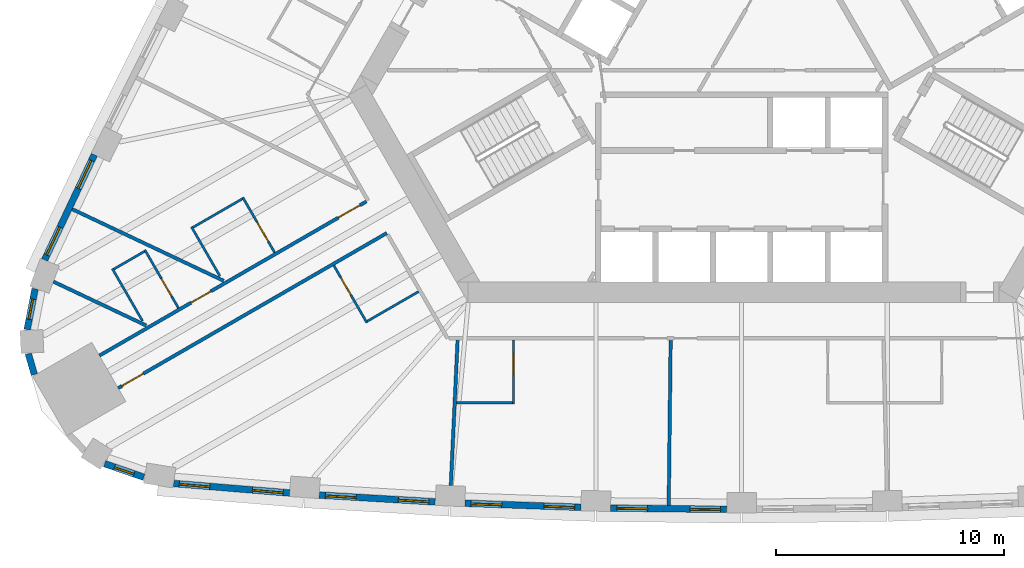
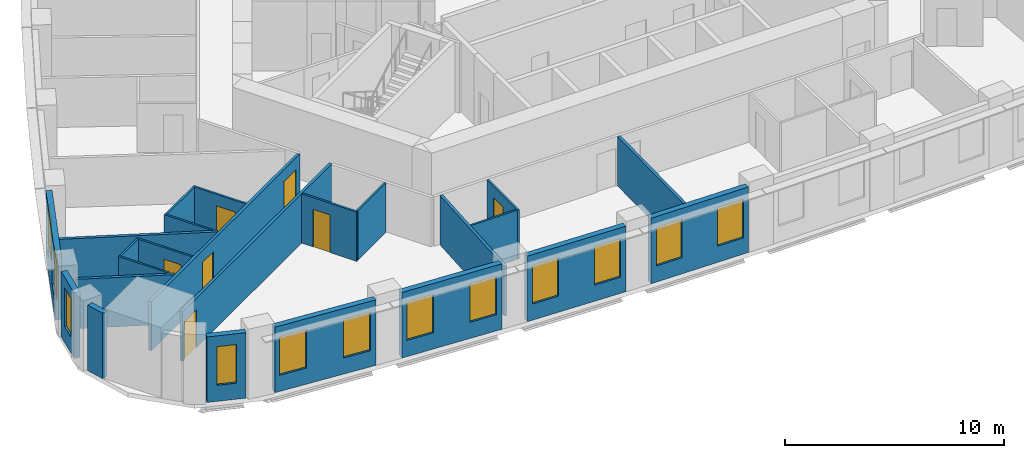
# One storey, part 3 of 12: 24 walls, 12 windows, 7 doors, 19 openings.
"""IFC4 building model written with IfcOpenShell, lengths in metres."""

from ifc_helpers import new_model, si_unit, direction, frame, frame_2d, origin, place, context, subcontext, project, spatial, rectangle, extrude, material, layer, layer_set, type_object, element, fill, save


model = new_model("IFC4")

# Units and contexts
model_context = context("Model", 3, precision=1e-05, world=origin(), true_north=direction((0.0, 1.0)))
body_context = subcontext(model_context, "Body", "Model", "MODEL_VIEW")
ifc_project = project(units=[si_unit("LENGTHUNIT", "METRE"), si_unit("AREAUNIT", "SQUARE_METRE"), si_unit("VOLUMEUNIT", "CUBIC_METRE"), si_unit("PLANEANGLEUNIT", "RADIAN"), si_unit("MASSUNIT", "GRAM", prefix="KILO")], contexts=[model_context])

# Site, building, storey
site_placement = place(None, origin())
site = spatial("IfcSite", under=ifc_project, at=site_placement, CompositionType="ELEMENT")
building_placement = place(site_placement, origin())
building = spatial("IfcBuilding", under=site, at=building_placement, Name="Mestral Congress Tower", CompositionType="ELEMENT")
storey_placement = place(building_placement, frame((0.0, 0.0, 126.60009765625)))
storey = spatial("IfcBuildingStorey", under=building, at=storey_placement, Name="L30", CompositionType="ELEMENT", Elevation=126.60009765625)

# Wall, openings, windows
ifc_material_1 = material(Name="Precast concrete C40/50 with limestone facing", Category="masonry")
ifc_layer_1 = layer(ifc_material_1, 0.2900390625)
ifc_layer_set_1 = layer_set([ifc_layer_1], Name="Precast concrete C40/50 with limestone facing")
wall_type_1 = type_object("IfcWallType", Name="Facade stone wall 290", PredefinedType="SOLIDWALL", material=ifc_layer_set_1)
wall_1_placement = place(storey_placement, frame((-24.9462890625, -20.95361328125, 0.0), z_axis=(0.0, 0.0, 1.0), x_axis=(0.99665273362, -0.081751627308, 0.0)))
wall_1 = element("IfcWall", 1, at=wall_1_placement, inside=storey, type_object=wall_type_1, Name="Facade wall F0-00", PredefinedType="SOLIDWALL", context=body_context, shape_type="SweptSolid", body=[
    extrude(rectangle(XDim=5.106689453125, YDim=0.2900390625, at=frame_2d((2.55322265625, 0.0))), origin(), (0.0, 0.0, 1.0), 3.64990234375),
])
opening_1_placement = place(wall_1_placement, frame((0.240478515625, 0.0, 0.89990234375)))
opening_1 = element("IfcOpeningElement", 2, at=opening_1_placement, cuts=wall_1, Name="Opening W2", PredefinedType="OPENING", context=body_context, shape_type="SweptSolid", body=[
    extrude(rectangle(XDim=1.35009765625, YDim=2.14990234375, at=frame_2d((0.675048828125, 1.074951171875))), frame((0.0, 0.155029296875, 0.0), z_axis=(0.0, -1.0, 0.0), x_axis=(1.0, 0.0, 0.0)), (0.0, 0.0, 1.0), 0.31005859375),
])
opening_2_placement = place(wall_1_placement, frame((3.47119140625, 0.0, 0.89990234375)))
opening_2 = element("IfcOpeningElement", 3, at=opening_2_placement, cuts=wall_1, Name="Opening W2", PredefinedType="OPENING", context=body_context, shape_type="SweptSolid", body=[
    extrude(rectangle(XDim=1.35009765625, YDim=2.14990234375, at=frame_2d((0.675048828125, 1.074951171875))), frame((0.0, 0.155029296875, 0.0), z_axis=(0.0, -1.0, 0.0), x_axis=(1.0, 0.0, 0.0)), (0.0, 0.0, 1.0), 0.31005859375),
])
ifc_material_2 = material(Name="Clear low-emissivity double glazing", Category="glass")
window_type_1 = type_object("IfcWindowType", Name="Facade punched window 1350 x 2150 sill 900", PartitioningType="DOUBLE_PANEL_VERTICAL", PredefinedType="WINDOW", material=ifc_material_2)
window_1_placement = place(opening_1_placement, origin())
window_1 = element("IfcWindow", 4, at=window_1_placement, inside=storey, type_object=window_type_1, Name="Window F0-00a", OverallHeight=2.14990234375, OverallWidth=1.35009765625, PartitioningType="DOUBLE_PANEL_VERTICAL", PredefinedType="WINDOW", context=body_context, shape_type="SweptSolid", body=[
    extrude(rectangle(XDim=1.35009765625, YDim=2.14990234375, at=frame_2d((0.675048828125, 1.074951171875))), frame((0.0, 0.01513671875, 0.0), z_axis=(0.0, -1.0, 0.0), x_axis=(1.0, 0.0, 0.0)), (0.0, 0.0, 1.0), 0.06005859375),
])
fill(opening_1, window_1)
window_2_placement = place(opening_2_placement, origin())
window_2 = element("IfcWindow", 5, at=window_2_placement, inside=storey, type_object=window_type_1, Name="Window F0-00b", OverallHeight=2.14990234375, OverallWidth=1.35009765625, PartitioningType="DOUBLE_PANEL_VERTICAL", PredefinedType="WINDOW", context=body_context, shape_type="SweptSolid", body=[
    extrude(rectangle(XDim=1.35009765625, YDim=2.14990234375, at=frame_2d((0.675048828125, 1.074951171875))), frame((0.0, 0.01513671875, 0.0), z_axis=(0.0, -1.0, 0.0), x_axis=(1.0, 0.0, 0.0)), (0.0, 0.0, 1.0), 0.06005859375),
])
fill(opening_2, window_2)

wall_2_placement = place(storey_placement, frame((-18.553466796875, -21.462890625, 0.0), z_axis=(0.0, 0.0, 1.0), x_axis=(0.998290511436, -0.058447025388, 0.0)))
wall_2 = element("IfcWall", 6, at=wall_2_placement, inside=storey, type_object=wall_type_1, Name="Facade wall F0-01", PredefinedType="SOLIDWALL", context=body_context, shape_type="SweptSolid", body=[
    extrude(rectangle(XDim=5.100341796875, YDim=0.2900390625, at=frame_2d((2.55029296875, 0.0))), origin(), (0.0, 0.0, 1.0), 3.64990234375),
])
opening_3_placement = place(wall_2_placement, frame((0.272705078125, 0.0, 0.89990234375)))
opening_3 = element("IfcOpeningElement", 7, at=opening_3_placement, cuts=wall_2, Name="Opening W2", PredefinedType="OPENING", context=body_context, shape_type="SweptSolid", body=[
    extrude(rectangle(XDim=1.35009765625, YDim=2.14990234375, at=frame_2d((0.675048828125, 1.074951171875))), frame((0.0, 0.155029296875, 0.0), z_axis=(0.0, -1.0, 0.0), x_axis=(1.0, 0.0, 0.0)), (0.0, 0.0, 1.0), 0.31005859375),
])
opening_4_placement = place(wall_2_placement, frame((3.477783203125, 0.0, 0.89990234375)))
opening_4 = element("IfcOpeningElement", 8, at=opening_4_placement, cuts=wall_2, Name="Opening W2", PredefinedType="OPENING", context=body_context, shape_type="SweptSolid", body=[
    extrude(rectangle(XDim=1.35009765625, YDim=2.14990234375, at=frame_2d((0.675048828125, 1.074951171875))), frame((0.0, 0.155029296875, 0.0), z_axis=(0.0, -1.0, 0.0), x_axis=(1.0, 0.0, 0.0)), (0.0, 0.0, 1.0), 0.31005859375),
])
window_3_placement = place(opening_3_placement, origin())
window_3 = element("IfcWindow", 9, at=window_3_placement, inside=storey, type_object=window_type_1, Name="Window F0-01a", OverallHeight=2.14990234375, OverallWidth=1.35009765625, PartitioningType="DOUBLE_PANEL_VERTICAL", PredefinedType="WINDOW", context=body_context, shape_type="SweptSolid", body=[
    extrude(rectangle(XDim=1.35009765625, YDim=2.14990234375, at=frame_2d((0.675048828125, 1.074951171875))), frame((0.0, 0.01513671875, 0.0), z_axis=(0.0, -1.0, 0.0), x_axis=(1.0, 0.0, 0.0)), (0.0, 0.0, 1.0), 0.06005859375),
])
fill(opening_3, window_3)
window_4_placement = place(opening_4_placement, origin())
window_4 = element("IfcWindow", 10, at=window_4_placement, inside=storey, type_object=window_type_1, Name="Window F0-01b", OverallHeight=2.14990234375, OverallWidth=1.35009765625, PartitioningType="DOUBLE_PANEL_VERTICAL", PredefinedType="WINDOW", context=body_context, shape_type="SweptSolid", body=[
    extrude(rectangle(XDim=1.35009765625, YDim=2.14990234375, at=frame_2d((0.675048828125, 1.074951171875))), frame((0.0, 0.01513671875, 0.0), z_axis=(0.0, -1.0, 0.0), x_axis=(1.0, 0.0, 0.0)), (0.0, 0.0, 1.0), 0.06005859375),
])
fill(opening_4, window_4)

wall_3_placement = place(storey_placement, frame((-12.15673828125, -21.822021484375, 0.0), z_axis=(0.0, 0.0, 1.0), x_axis=(0.999385993957, -0.035037623812, 0.0)))
wall_3 = element("IfcWall", 11, at=wall_3_placement, inside=storey, type_object=wall_type_1, Name="Facade wall F0-02", PredefinedType="SOLIDWALL", context=body_context, shape_type="SweptSolid", body=[
    extrude(rectangle(XDim=5.1005859375, YDim=0.2900390625, at=frame_2d((2.55029296875, 0.0))), origin(), (0.0, 0.0, 1.0), 3.64990234375),
])
opening_5_placement = place(wall_3_placement, frame((0.272705078125, 0.0, 0.89990234375)))
opening_5 = element("IfcOpeningElement", 12, at=opening_5_placement, cuts=wall_3, Name="Opening W2", PredefinedType="OPENING", context=body_context, shape_type="SweptSolid", body=[
    extrude(rectangle(XDim=1.35009765625, YDim=2.14990234375, at=frame_2d((0.675048828125, 1.074951171875))), frame((0.0, 0.155029296875, 0.0), z_axis=(0.0, -1.0, 0.0), x_axis=(1.0, 0.0, 0.0)), (0.0, 0.0, 1.0), 0.31005859375),
])
opening_6_placement = place(wall_3_placement, frame((3.477783203125, 0.0, 0.89990234375)))
opening_6 = element("IfcOpeningElement", 13, at=opening_6_placement, cuts=wall_3, Name="Opening W2", PredefinedType="OPENING", context=body_context, shape_type="SweptSolid", body=[
    extrude(rectangle(XDim=1.35009765625, YDim=2.14990234375, at=frame_2d((0.675048828125, 1.074951171875))), frame((0.0, 0.155029296875, 0.0), z_axis=(0.0, -1.0, 0.0), x_axis=(1.0, 0.0, 0.0)), (0.0, 0.0, 1.0), 0.31005859375),
])
window_5_placement = place(opening_5_placement, origin())
window_5 = element("IfcWindow", 14, at=window_5_placement, inside=storey, type_object=window_type_1, Name="Window F0-02a", OverallHeight=2.14990234375, OverallWidth=1.35009765625, PartitioningType="DOUBLE_PANEL_VERTICAL", PredefinedType="WINDOW", context=body_context, shape_type="SweptSolid", body=[
    extrude(rectangle(XDim=1.35009765625, YDim=2.14990234375, at=frame_2d((0.675048828125, 1.074951171875))), frame((0.0, 0.01513671875, 0.0), z_axis=(0.0, -1.0, 0.0), x_axis=(1.0, 0.0, 0.0)), (0.0, 0.0, 1.0), 0.06005859375),
])
fill(opening_5, window_5)
window_6_placement = place(opening_6_placement, origin())
window_6 = element("IfcWindow", 15, at=window_6_placement, inside=storey, type_object=window_type_1, Name="Window F0-02b", OverallHeight=2.14990234375, OverallWidth=1.35009765625, PartitioningType="DOUBLE_PANEL_VERTICAL", PredefinedType="WINDOW", context=body_context, shape_type="SweptSolid", body=[
    extrude(rectangle(XDim=1.35009765625, YDim=2.14990234375, at=frame_2d((0.675048828125, 1.074951171875))), frame((0.0, 0.01513671875, 0.0), z_axis=(0.0, -1.0, 0.0), x_axis=(1.0, 0.0, 0.0)), (0.0, 0.0, 1.0), 0.06005859375),
])
fill(opening_6, window_6)

wall_4_placement = place(storey_placement, frame((-5.753173828125, -22.031494140625, 0.0), z_axis=(0.0, 0.0, 1.0), x_axis=(0.999931786565, -0.011679992145, 0.0)))
wall_4 = element("IfcWall", 16, at=wall_4_placement, inside=storey, type_object=wall_type_1, Name="Facade wall F0-03", PredefinedType="SOLIDWALL", context=body_context, shape_type="SweptSolid", body=[
    extrude(rectangle(XDim=5.10009765625, YDim=0.2900390625, at=frame_2d((2.550048828125, 0.0))), origin(), (0.0, 0.0, 1.0), 3.64990234375),
])
opening_7_placement = place(wall_4_placement, frame((0.2724609375, 0.0, 0.89990234375)))
opening_7 = element("IfcOpeningElement", 17, at=opening_7_placement, cuts=wall_4, Name="Opening W2", PredefinedType="OPENING", context=body_context, shape_type="SweptSolid", body=[
    extrude(rectangle(XDim=1.35009765625, YDim=2.14990234375, at=frame_2d((0.675048828125, 1.074951171875))), frame((0.0, 0.155029296875, 0.0), z_axis=(0.0, -1.0, 0.0), x_axis=(1.0, 0.0, 0.0)), (0.0, 0.0, 1.0), 0.31005859375),
])
opening_8_placement = place(wall_4_placement, frame((3.477783203125, 0.0, 0.89990234375)))
opening_8 = element("IfcOpeningElement", 18, at=opening_8_placement, cuts=wall_4, Name="Opening W2", PredefinedType="OPENING", context=body_context, shape_type="SweptSolid", body=[
    extrude(rectangle(XDim=1.35009765625, YDim=2.14990234375, at=frame_2d((0.675048828125, 1.074951171875))), frame((0.0, 0.155029296875, 0.0), z_axis=(0.0, -1.0, 0.0), x_axis=(1.0, 0.0, 0.0)), (0.0, 0.0, 1.0), 0.31005859375),
])
window_7_placement = place(opening_7_placement, origin())
window_7 = element("IfcWindow", 19, at=window_7_placement, inside=storey, type_object=window_type_1, Name="Window F0-03a", OverallHeight=2.14990234375, OverallWidth=1.35009765625, PartitioningType="DOUBLE_PANEL_VERTICAL", PredefinedType="WINDOW", context=body_context, shape_type="SweptSolid", body=[
    extrude(rectangle(XDim=1.35009765625, YDim=2.14990234375, at=frame_2d((0.675048828125, 1.074951171875))), frame((0.0, 0.01513671875, 0.0), z_axis=(0.0, -1.0, 0.0), x_axis=(1.0, 0.0, 0.0)), (0.0, 0.0, 1.0), 0.06005859375),
])
fill(opening_7, window_7)
window_8_placement = place(opening_8_placement, origin())
window_8 = element("IfcWindow", 20, at=window_8_placement, inside=storey, type_object=window_type_1, Name="Window F0-03b", OverallHeight=2.14990234375, OverallWidth=1.35009765625, PartitioningType="DOUBLE_PANEL_VERTICAL", PredefinedType="WINDOW", context=body_context, shape_type="SweptSolid", body=[
    extrude(rectangle(XDim=1.35009765625, YDim=2.14990234375, at=frame_2d((0.675048828125, 1.074951171875))), frame((0.0, 0.01513671875, 0.0), z_axis=(0.0, -1.0, 0.0), x_axis=(1.0, 0.0, 0.0)), (0.0, 0.0, 1.0), 0.06005859375),
])
fill(opening_8, window_8)

wall_5_placement = place(storey_placement, frame((-28.436279296875, -6.5107421875, 0.0), z_axis=(0.0, 0.0, 1.0), x_axis=(-0.427543726596, -0.903994669148, 0.0)))
wall_5 = element("IfcWall", 21, at=wall_5_placement, inside=storey, type_object=wall_type_1, Name="Facade wall F2-07", PredefinedType="SOLIDWALL", context=body_context, shape_type="SweptSolid", body=[
    extrude(rectangle(XDim=5.106689453125, YDim=0.2900390625, at=frame_2d((2.55322265625, 0.0))), origin(), (0.0, 0.0, 1.0), 3.64990234375),
])
opening_9_placement = place(wall_5_placement, frame((0.285400390625, 0.0, 0.89990234375)))
opening_9 = element("IfcOpeningElement", 22, at=opening_9_placement, cuts=wall_5, Name="Opening W2", PredefinedType="OPENING", context=body_context, shape_type="SweptSolid", body=[
    extrude(rectangle(XDim=1.35009765625, YDim=2.14990234375, at=frame_2d((0.675048828125, 1.074951171875))), frame((0.0, 0.155029296875, 0.0), z_axis=(0.0, -1.0, 0.0), x_axis=(1.0, 0.0, 0.0)), (0.0, 0.0, 1.0), 0.31005859375),
])
opening_10_placement = place(wall_5_placement, frame((3.516357421875, 0.0, 0.89990234375)))
opening_10 = element("IfcOpeningElement", 23, at=opening_10_placement, cuts=wall_5, Name="Opening W2", PredefinedType="OPENING", context=body_context, shape_type="SweptSolid", body=[
    extrude(rectangle(XDim=1.35009765625, YDim=2.14990234375, at=frame_2d((0.675048828125, 1.074951171875))), frame((0.0, 0.155029296875, 0.0), z_axis=(0.0, -1.0, 0.0), x_axis=(1.0, 0.0, 0.0)), (0.0, 0.0, 1.0), 0.31005859375),
])
window_9_placement = place(opening_9_placement, origin())
window_9 = element("IfcWindow", 24, at=window_9_placement, inside=storey, type_object=window_type_1, Name="Window F2-07a", OverallHeight=2.14990234375, OverallWidth=1.35009765625, PartitioningType="DOUBLE_PANEL_VERTICAL", PredefinedType="WINDOW", context=body_context, shape_type="SweptSolid", body=[
    extrude(rectangle(XDim=1.35009765625, YDim=2.14990234375, at=frame_2d((0.675048828125, 1.074951171875))), frame((0.0, 0.01513671875, 0.0), z_axis=(0.0, -1.0, 0.0), x_axis=(1.0, 0.0, 0.0)), (0.0, 0.0, 1.0), 0.06005859375),
])
fill(opening_9, window_9)
window_10_placement = place(opening_10_placement, origin())
window_10 = element("IfcWindow", 25, at=window_10_placement, inside=storey, type_object=window_type_1, Name="Window F2-07b", OverallHeight=2.14990234375, OverallWidth=1.35009765625, PartitioningType="DOUBLE_PANEL_VERTICAL", PredefinedType="WINDOW", context=body_context, shape_type="SweptSolid", body=[
    extrude(rectangle(XDim=1.35009765625, YDim=2.14990234375, at=frame_2d((0.675048828125, 1.074951171875))), frame((0.0, 0.01513671875, 0.0), z_axis=(0.0, -1.0, 0.0), x_axis=(1.0, 0.0, 0.0)), (0.0, 0.0, 1.0), 0.06005859375),
])
fill(opening_10, window_10)

# Wall, opening, window
wall_6_placement = place(storey_placement, frame((-31.0390625, -12.403076171875, 0.0), z_axis=(0.0, 0.0, 1.0), x_axis=(-0.190409913989, -0.981704672829, 0.0)))
wall_6 = element("IfcWall", 26, at=wall_6_placement, inside=storey, type_object=wall_type_1, Name="Facade wall K2-0", PredefinedType="SOLIDWALL", context=body_context, shape_type="SweptSolid", body=[
    extrude(rectangle(XDim=1.8193359375, YDim=0.2900390625, at=frame_2d((0.90966796875, 0.0))), origin(), (0.0, 0.0, 1.0), 3.64990234375),
])
opening_11_placement = place(wall_6_placement, frame((0.459716796875, 0.0, 0.89990234375)))
opening_11 = element("IfcOpeningElement", 27, at=opening_11_placement, cuts=wall_6, Name="Opening W3", PredefinedType="OPENING", context=body_context, shape_type="SweptSolid", body=[
    extrude(rectangle(XDim=0.89990234375, YDim=2.14990234375, at=frame_2d((0.449951171875, 1.074951171875))), frame((0.0, 0.155029296875, 0.0), z_axis=(0.0, -1.0, 0.0), x_axis=(1.0, 0.0, 0.0)), (0.0, 0.0, 1.0), 0.31005859375),
])
window_type_2 = type_object("IfcWindowType", Name="Facade punched window 900 x 2150 sill 900", PartitioningType="SINGLE_PANEL", PredefinedType="WINDOW", material=ifc_material_2)
window_11_placement = place(opening_11_placement, origin())
window_11 = element("IfcWindow", 28, at=window_11_placement, inside=storey, type_object=window_type_2, Name="Window K2-0", OverallHeight=2.14990234375, OverallWidth=0.89990234375, PartitioningType="SINGLE_PANEL", PredefinedType="WINDOW", context=body_context, shape_type="SweptSolid", body=[
    extrude(rectangle(XDim=0.89990234375, YDim=2.14990234375, at=frame_2d((0.449951171875, 1.074951171875))), frame((0.0, 0.01513671875, 0.0), z_axis=(0.0, -1.0, 0.0), x_axis=(1.0, 0.0, 0.0)), (0.0, 0.0, 1.0), 0.06005859375),
])
fill(opening_11, window_11)

# Wall
wall_7_placement = place(storey_placement, frame((-31.335693359375, -15.25634765625, 0.0), z_axis=(0.0, 0.0, 1.0), x_axis=(0.281454582132, -0.95957455062, 0.0)))
element("IfcWall", 29, at=wall_7_placement, inside=storey, type_object=wall_type_1, Name="Facade wall K2-1", PredefinedType="SOLIDWALL", context=body_context, shape_type="SweptSolid", body=[
    extrude(rectangle(XDim=0.947265625, YDim=0.2900390625, at=frame_2d((0.4736328125, 0.0))), origin(), (0.0, 0.0, 1.0), 3.64990234375),
])

# Wall, opening, window
wall_8_placement = place(storey_placement, frame((-27.98095703125, -20.086181640625, 0.0), z_axis=(0.0, 0.0, 1.0), x_axis=(0.945385815453, -0.325953462844, 0.0)))
wall_8 = element("IfcWall", 30, at=wall_8_placement, inside=storey, type_object=wall_type_1, Name="Facade wall K2-3", PredefinedType="SOLIDWALL", context=body_context, shape_type="SweptSolid", body=[
    extrude(rectangle(XDim=1.8193359375, YDim=0.2900390625, at=frame_2d((0.90966796875, 0.0))), origin(), (0.0, 0.0, 1.0), 3.64990234375),
])
opening_12_placement = place(wall_8_placement, frame((0.459716796875, 0.0, 0.89990234375)))
opening_12 = element("IfcOpeningElement", 31, at=opening_12_placement, cuts=wall_8, Name="Opening W3", PredefinedType="OPENING", context=body_context, shape_type="SweptSolid", body=[
    extrude(rectangle(XDim=0.89990234375, YDim=2.14990234375, at=frame_2d((0.449951171875, 1.074951171875))), frame((0.0, 0.155029296875, 0.0), z_axis=(0.0, -1.0, 0.0), x_axis=(1.0, 0.0, 0.0)), (0.0, 0.0, 1.0), 0.31005859375),
])
window_12_placement = place(opening_12_placement, origin())
window_12 = element("IfcWindow", 32, at=window_12_placement, inside=storey, type_object=window_type_2, Name="Window K2-3", OverallHeight=2.14990234375, OverallWidth=0.89990234375, PartitioningType="SINGLE_PANEL", PredefinedType="WINDOW", context=body_context, shape_type="SweptSolid", body=[
    extrude(rectangle(XDim=0.89990234375, YDim=2.14990234375, at=frame_2d((0.449951171875, 1.074951171875))), frame((0.0, 0.01513671875, 0.0), z_axis=(0.0, -1.0, 0.0), x_axis=(1.0, 0.0, 0.0)), (0.0, 0.0, 1.0), 0.06005859375),
])
fill(opening_12, window_12)

# Wall, opening, door
ifc_material_3 = material(Name="Gypsum board partition on metal studs with mineral wool", Category="composite")
ifc_layer_2 = layer(ifc_material_3, 0.10009765625)
ifc_layer_set_2 = layer_set([ifc_layer_2], Name="Gypsum board partition on metal studs with mineral wool")
wall_type_2 = type_object("IfcWallType", Name="Hotel partition wall 100", PredefinedType="PARTITIONING", material=ifc_layer_set_2)
wall_9_placement = place(storey_placement, frame((-17.91015625, -11.379638671875, 0.0), z_axis=(0.0, 0.0, 1.0), x_axis=(0.499987231761, -0.866032775405, 0.0)))
wall_9 = element("IfcWall", 33, at=wall_9_placement, inside=storey, type_object=wall_type_2, Name="L30-h-pod01a", PredefinedType="PARTITIONING", context=body_context, shape_type="SweptSolid", body=[
    extrude(rectangle(XDim=2.89990234375, YDim=0.10009765625, at=frame_2d((1.449951171875, 0.0))), origin(), (0.0, 0.0, 1.0), 2.75),
])
opening_13_placement = place(wall_9_placement, frame((0.60009765625, 0.0, 0.0)))
opening_13 = element("IfcOpeningElement", 34, at=opening_13_placement, cuts=wall_9, Name="Opening H09-002", PredefinedType="OPENING", context=body_context, shape_type="SweptSolid", body=[
    extrude(rectangle(XDim=0.89990234375, YDim=2.10009765625, at=frame_2d((0.449951171875, 1.050048828125))), frame((0.0, 0.06005859375, 0.0), z_axis=(0.0, -1.0, 0.0), x_axis=(1.0, 0.0, 0.0)), (0.0, 0.0, 1.0), 0.1201171875),
])
ifc_material_4 = material(Name="Timber veneer door leaf in timber frame", Category="wood")
door_type_1 = type_object("IfcDoorType", Name="Bathroom door 900", OperationType="SINGLE_SWING_LEFT", PredefinedType="DOOR", material=ifc_material_4)
door_1_placement = place(opening_13_placement, origin())
door_1 = element("IfcDoor", 35, at=door_1_placement, inside=storey, type_object=door_type_1, Name="L30-h-d002", OperationType="SINGLE_SWING_LEFT", OverallHeight=2.10009765625, OverallWidth=0.89990234375, PredefinedType="DOOR", context=body_context, shape_type="SweptSolid", body=[
    extrude(rectangle(XDim=0.89990234375, YDim=2.10009765625, at=frame_2d((0.449951171875, 1.050048828125))), frame((0.0, 0.02490234375, 0.0), z_axis=(0.0, -1.0, 0.0), x_axis=(1.0, 0.0, 0.0)), (0.0, 0.0, 1.0), 0.050048828125),
])
fill(opening_13, door_1)

# Wall
wall_10_placement = place(storey_placement, frame((-16.44189453125, -13.82275390625, 0.0), z_axis=(0.0, 0.0, 1.0), x_axis=(0.866021400173, 0.500006934395, 0.0)))
element("IfcWall", 36, at=wall_10_placement, inside=storey, type_object=wall_type_2, Name="L30-h-pod01b", PredefinedType="PARTITIONING", context=body_context, shape_type="SweptSolid", body=[
    extrude(rectangle(XDim=2.60009765625, YDim=0.10009765625, at=frame_2d((1.300048828125, 0.0))), origin(), (0.0, 0.0, 1.0), 2.75),
])

# Wall, opening, door
wall_11_placement = place(storey_placement, frame((-10.022216796875, -17.449951171875, 0.0), z_axis=(0.0, 0.0, 1.0), x_axis=(0.0, 1.0, 0.0)))
wall_11 = element("IfcWall", 37, at=wall_11_placement, inside=storey, type_object=wall_type_2, Name="L30-h-pod02a", PredefinedType="PARTITIONING", context=body_context, shape_type="SweptSolid", body=[
    extrude(rectangle(XDim=2.800048828125, YDim=0.10009765625, at=frame_2d((1.39990234375, 0.0))), origin(), (0.0, 0.0, 1.0), 2.75),
])
opening_14_placement = place(wall_11_placement, frame((1.300048828125, 0.0, 0.0)))
opening_14 = element("IfcOpeningElement", 38, at=opening_14_placement, cuts=wall_11, Name="Opening H09-004", PredefinedType="OPENING", context=body_context, shape_type="SweptSolid", body=[
    extrude(rectangle(XDim=0.89990234375, YDim=2.10009765625, at=frame_2d((0.449951171875, 1.050048828125))), frame((0.0, 0.06005859375, 0.0), z_axis=(0.0, -1.0, 0.0), x_axis=(1.0, 0.0, 0.0)), (0.0, 0.0, 1.0), 0.1201171875),
])
door_2_placement = place(opening_14_placement, origin())
door_2 = element("IfcDoor", 39, at=door_2_placement, inside=storey, type_object=door_type_1, Name="L30-h-d004", OperationType="SINGLE_SWING_LEFT", OverallHeight=2.10009765625, OverallWidth=0.89990234375, PredefinedType="DOOR", context=body_context, shape_type="SweptSolid", body=[
    extrude(rectangle(XDim=0.89990234375, YDim=2.10009765625, at=frame_2d((0.449951171875, 1.050048828125))), frame((0.0, 0.02490234375, 0.0), z_axis=(0.0, -1.0, 0.0), x_axis=(1.0, 0.0, 0.0)), (0.0, 0.0, 1.0), 0.050048828125),
])
fill(opening_14, door_2)

# Wall
wall_12_placement = place(storey_placement, frame((-10.072265625, -17.39990234375, 0.0), z_axis=(0.0, 0.0, 1.0), x_axis=(-1.0, 0.0, 0.0)))
element("IfcWall", 40, at=wall_12_placement, inside=storey, type_object=wall_type_2, Name="L30-h-pod02b", PredefinedType="PARTITIONING", context=body_context, shape_type="SweptSolid", body=[
    extrude(rectangle(XDim=2.449951171875, YDim=0.10009765625, at=frame_2d((1.22509765625, 0.0))), origin(), (0.0, 0.0, 1.0), 2.75),
])

# Wall, opening, door
wall_13_placement = place(storey_placement, frame((-20.5146484375, -10.804931640625, 0.0), z_axis=(0.0, 0.0, 1.0), x_axis=(-0.49994636267, 0.866056369097, 0.0)))
wall_13 = element("IfcWall", 41, at=wall_13_placement, inside=storey, type_object=wall_type_2, Name="L30-h-pod19a", PredefinedType="PARTITIONING", context=body_context, shape_type="SweptSolid", body=[
    extrude(rectangle(XDim=2.800048828125, YDim=0.10009765625, at=frame_2d((1.39990234375, 0.0))), origin(), (0.0, 0.0, 1.0), 2.75),
])
opening_15_placement = place(wall_13_placement, frame((0.550048828125, 0.0, 0.0)))
opening_15 = element("IfcOpeningElement", 42, at=opening_15_placement, cuts=wall_13, Name="Opening H09-036", PredefinedType="OPENING", context=body_context, shape_type="SweptSolid", body=[
    extrude(rectangle(XDim=1.0, YDim=2.10009765625, at=frame_2d((0.5, 1.050048828125))), frame((0.0, 0.06005859375, 0.0), z_axis=(0.0, -1.0, 0.0), x_axis=(1.0, 0.0, 0.0)), (0.0, 0.0, 1.0), 0.1201171875),
])
door_type_2 = type_object("IfcDoorType", Name="Accessible bathroom door 1000", OperationType="SINGLE_SWING_LEFT", PredefinedType="DOOR", material=ifc_material_4)
door_3_placement = place(opening_15_placement, origin())
door_3 = element("IfcDoor", 43, at=door_3_placement, inside=storey, type_object=door_type_2, Name="L30-h-d036", OperationType="SINGLE_SWING_LEFT", OverallHeight=2.10009765625, OverallWidth=1.0, PredefinedType="DOOR", context=body_context, shape_type="SweptSolid", body=[
    extrude(rectangle(XDim=1.0, YDim=2.10009765625, at=frame_2d((0.5, 1.050048828125))), frame((0.0, 0.02490234375, 0.0), z_axis=(0.0, -1.0, 0.0), x_axis=(1.0, 0.0, 0.0)), (0.0, 0.0, 1.0), 0.050048828125),
])
fill(opening_15, door_3)

# Walls
for number, where, z_axis, x_axis, name in (
    (44, (-21.932861328125, -8.4482421875, 0.0), (0.0, 0.0, 1.0), (-0.866022959057, -0.500004234368, 0.0), "L30-h-pod19b"),
    (45, (-22.916259765625, -11.844970703125, 0.0), (0.0, 0.0, 1.0), (-0.500004234368, 0.866022959057, 0.0), "L30-h-pod19c"),
):
    element("IfcWall", number, at=place(storey_placement, frame(where, z_axis=z_axis, x_axis=x_axis)), inside=storey, type_object=wall_type_2, Name=name, PredefinedType="PARTITIONING", context=body_context, shape_type="SweptSolid", body=[
        extrude(rectangle(XDim=2.5, YDim=0.10009765625, at=frame_2d((1.25, 0.0))), origin(), (0.0, 0.0, 1.0), 2.75),
    ])

# Wall, opening, door
wall_14_placement = place(storey_placement, frame((-24.739990234375, -13.244384765625, 0.0), z_axis=(0.0, 0.0, 1.0), x_axis=(-0.500037662692, 0.866003658127, 0.0)))
wall_14 = element("IfcWall", 46, at=wall_14_placement, inside=storey, type_object=wall_type_2, Name="L30-h-pod20a", PredefinedType="PARTITIONING", context=body_context, shape_type="SweptSolid", body=[
    extrude(rectangle(XDim=2.949951171875, YDim=0.10009765625, at=frame_2d((1.47509765625, 0.0))), origin(), (0.0, 0.0, 1.0), 2.75),
])
opening_16_placement = place(wall_14_placement, frame((0.60009765625, 0.0, 0.0)))
opening_16 = element("IfcOpeningElement", 47, at=opening_16_placement, cuts=wall_14, Name="Opening H09-038", PredefinedType="OPENING", context=body_context, shape_type="SweptSolid", body=[
    extrude(rectangle(XDim=0.89990234375, YDim=2.10009765625, at=frame_2d((0.449951171875, 1.050048828125))), frame((0.0, 0.06005859375, 0.0), z_axis=(0.0, -1.0, 0.0), x_axis=(1.0, 0.0, 0.0)), (0.0, 0.0, 1.0), 0.1201171875),
])
door_4_placement = place(opening_16_placement, origin())
door_4 = element("IfcDoor", 48, at=door_4_placement, inside=storey, type_object=door_type_1, Name="L30-h-d038", OperationType="SINGLE_SWING_LEFT", OverallHeight=2.10009765625, OverallWidth=0.89990234375, PredefinedType="DOOR", context=body_context, shape_type="SweptSolid", body=[
    extrude(rectangle(XDim=0.89990234375, YDim=2.10009765625, at=frame_2d((0.449951171875, 1.050048828125))), frame((0.0, 0.02490234375, 0.0), z_axis=(0.0, -1.0, 0.0), x_axis=(1.0, 0.0, 0.0)), (0.0, 0.0, 1.0), 0.050048828125),
])
fill(opening_16, door_4)

# Walls
wall_15_placement = place(storey_placement, frame((-26.2333984375, -10.758056640625, 0.0), z_axis=(0.0, 0.0, 1.0), x_axis=(-0.866043940782, -0.499967891604, 0.0)))
element("IfcWall", 49, at=wall_15_placement, inside=storey, type_object=wall_type_2, Name="L30-h-pod20b", PredefinedType="PARTITIONING", context=body_context, shape_type="SweptSolid", body=[
    extrude(rectangle(XDim=1.5498046875, YDim=0.10009765625, at=frame_2d((0.77490234375, 0.0))), origin(), (0.0, 0.0, 1.0), 2.75),
])
wall_16_placement = place(storey_placement, frame((-26.319091796875, -13.809814453125, 0.0), z_axis=(0.0, 0.0, 1.0), x_axis=(-0.499953715521, 0.866052124492, 0.0)))
element("IfcWall", 50, at=wall_16_placement, inside=storey, type_object=wall_type_2, Name="L30-h-pod20c", PredefinedType="PARTITIONING", context=body_context, shape_type="SweptSolid", body=[
    extrude(rectangle(XDim=2.650146484375, YDim=0.10009765625, at=frame_2d((1.3251953125, 0.0))), origin(), (0.0, 0.0, 1.0), 2.75),
])

# Wall, openings, doors
ifc_layer_3 = layer(ifc_material_3, 0.14990234375)
ifc_layer_set_3 = layer_set([ifc_layer_3], Name="Gypsum board partition on metal studs with mineral wool")
wall_type_3 = type_object("IfcWallType", Name="Hotel partition wall 150", PredefinedType="PARTITIONING", material=ifc_layer_set_3)
wall_17_placement = place(storey_placement, frame((-28.210693359375, -15.334716796875, 0.0), z_axis=(0.0, 0.0, 1.0), x_axis=(0.866025884867, 0.49999916674, 0.0)))
wall_17 = element("IfcWall", 51, at=wall_17_placement, inside=storey, type_object=wall_type_3, Name="L30-h-cw10", PredefinedType="PARTITIONING", context=body_context, shape_type="SweptSolid", body=[
    extrude(rectangle(XDim=13.54345703125, YDim=0.14990234375, at=frame_2d((6.771728515625, 0.0))), origin(), (0.0, 0.0, 1.0), 2.75),
])
opening_17_placement = place(wall_17_placement, frame((12.113525390625, 0.0, 0.0)))
opening_17 = element("IfcOpeningElement", 52, at=opening_17_placement, cuts=wall_17, Name="Opening H09-035", PredefinedType="OPENING", context=body_context, shape_type="SweptSolid", body=[
    extrude(rectangle(XDim=1.10009765625, YDim=2.10009765625, at=frame_2d((0.550048828125, 1.050048828125))), frame((0.0, 0.0849609375, 0.0), z_axis=(0.0, -1.0, 0.0), x_axis=(1.0, 0.0, 0.0)), (0.0, 0.0, 1.0), 0.169921875),
])
opening_18_placement = place(wall_17_placement, frame((4.650146484375, 0.0, 0.0)))
opening_18 = element("IfcOpeningElement", 53, at=opening_18_placement, cuts=wall_17, Name="Opening H09-037", PredefinedType="OPENING", context=body_context, shape_type="SweptSolid", body=[
    extrude(rectangle(XDim=1.0, YDim=2.10009765625, at=frame_2d((0.5, 1.050048828125))), frame((0.0, 0.0849609375, 0.0), z_axis=(0.0, -1.0, 0.0), x_axis=(1.0, 0.0, 0.0)), (0.0, 0.0, 1.0), 0.169921875),
])
ifc_material_5 = material(Name="Timber veneer door leaf in metal frame", Category="wood")
door_type_3 = type_object("IfcDoorType", Name="Accessible room entrance door 1100", OperationType="SINGLE_SWING_LEFT", PredefinedType="DOOR", material=ifc_material_5)
door_5_placement = place(opening_17_placement, origin())
door_5 = element("IfcDoor", 54, at=door_5_placement, inside=storey, type_object=door_type_3, Name="L30-h-d035", OperationType="SINGLE_SWING_RIGHT", OverallHeight=2.10009765625, OverallWidth=1.10009765625, PredefinedType="DOOR", context=body_context, shape_type="SweptSolid", body=[
    extrude(rectangle(XDim=1.10009765625, YDim=2.10009765625, at=frame_2d((0.550048828125, 1.050048828125))), frame((0.0, 0.02490234375, 0.0), z_axis=(0.0, -1.0, 0.0), x_axis=(1.0, 0.0, 0.0)), (0.0, 0.0, 1.0), 0.050048828125),
])
fill(opening_17, door_5)
door_type_4 = type_object("IfcDoorType", Name="Guest room entrance door 1000", OperationType="SINGLE_SWING_LEFT", PredefinedType="DOOR", material=ifc_material_5)
door_6_placement = place(opening_18_placement, origin())
door_6 = element("IfcDoor", 55, at=door_6_placement, inside=storey, type_object=door_type_4, Name="L30-h-d037", OperationType="SINGLE_SWING_RIGHT", OverallHeight=2.10009765625, OverallWidth=1.0, PredefinedType="DOOR", context=body_context, shape_type="SweptSolid", body=[
    extrude(rectangle(XDim=1.0, YDim=2.10009765625, at=frame_2d((0.5, 1.050048828125))), frame((0.0, 0.02490234375, 0.0), z_axis=(0.0, -1.0, 0.0), x_axis=(1.0, 0.0, 0.0)), (0.0, 0.0, 1.0), 0.050048828125),
])
fill(opening_18, door_6)

# Wall, opening, door
wall_18_placement = place(storey_placement, frame((-15.58740234375, -9.951904296875, 0.0), z_axis=(0.0, 0.0, 1.0), x_axis=(-0.866017869832, -0.500013048961, 0.0)))
wall_18 = element("IfcWall", 56, at=wall_18_placement, inside=storey, type_object=wall_type_3, Name="L30-h-cw11", PredefinedType="PARTITIONING", context=body_context, shape_type="SweptSolid", body=[
    extrude(rectangle(XDim=13.623779296875, YDim=0.14990234375, at=frame_2d((6.81201171875, 0.0))), origin(), (0.0, 0.0, 1.0), 2.75),
])
opening_19_placement = place(wall_18_placement, frame((12.343505859375, 0.0, 0.0)))
opening_19 = element("IfcOpeningElement", 57, at=opening_19_placement, cuts=wall_18, Name="Opening H09-001", PredefinedType="OPENING", context=body_context, shape_type="SweptSolid", body=[
    extrude(rectangle(XDim=1.10009765625, YDim=2.10009765625, at=frame_2d((0.550048828125, 1.050048828125))), frame((0.0, 0.0849609375, 0.0), z_axis=(0.0, -1.0, 0.0), x_axis=(1.0, 0.0, 0.0)), (0.0, 0.0, 1.0), 0.169921875),
])
door_7_placement = place(opening_19_placement, origin())
door_7 = element("IfcDoor", 58, at=door_7_placement, inside=storey, type_object=door_type_3, Name="L30-h-d001", OperationType="SINGLE_SWING_RIGHT", OverallHeight=2.10009765625, OverallWidth=1.10009765625, PredefinedType="DOOR", context=body_context, shape_type="SweptSolid", body=[
    extrude(rectangle(XDim=1.10009765625, YDim=2.10009765625, at=frame_2d((0.550048828125, 1.050048828125))), frame((0.0, 0.02490234375, 0.0), z_axis=(0.0, -1.0, 0.0), x_axis=(1.0, 0.0, 0.0)), (0.0, 0.0, 1.0), 0.050048828125),
])
fill(opening_19, door_7)

# Walls
wall_19_placement = place(storey_placement, frame((-30.23095703125, -12.08544921875, 0.0), z_axis=(0.0, 0.0, 1.0), x_axis=(0.904001132572, -0.427530060122, 0.0)))
element("IfcWall", 59, at=wall_19_placement, inside=storey, type_object=wall_type_3, Name="L30-h-pw01", PredefinedType="PARTITIONING", context=body_context, shape_type="SweptSolid", body=[
    extrude(rectangle(XDim=4.509521484375, YDim=0.14990234375, at=frame_2d((2.2548828125, 0.0))), origin(), (0.0, 0.0, 1.0), 2.75),
])
wall_20_placement = place(storey_placement, frame((-29.406494140625, -8.9013671875, 0.0), z_axis=(0.0, 0.0, 1.0), x_axis=(0.904002363742, -0.427527456836, 0.0)))
element("IfcWall", 60, at=wall_20_placement, inside=storey, type_object=wall_type_3, Name="L30-h-pw02", PredefinedType="PARTITIONING", context=body_context, shape_type="SweptSolid", body=[
    extrude(rectangle(XDim=7.362060546875, YDim=0.14990234375, at=frame_2d((3.68115234375, 0.0))), origin(), (0.0, 0.0, 1.0), 2.75),
])
wall_21_placement = place(storey_placement, frame((-12.7744140625, -21.044921875, 0.0), z_axis=(0.0, 0.0, 1.0), x_axis=(0.046750341626, 0.998906605023, 0.0)))
element("IfcWall", 61, at=wall_21_placement, inside=storey, type_object=wall_type_3, Name="L30-h-pw07", PredefinedType="PARTITIONING", context=body_context, shape_type="SweptSolid", body=[
    extrude(rectangle(XDim=6.39208984375, YDim=0.14990234375, at=frame_2d((3.196044921875, 0.0))), origin(), (0.0, 0.0, 1.0), 2.75),
])
wall_22_placement = place(storey_placement, frame((-3.20166015625, -21.916259765625, 0.0), z_axis=(0.0, 0.0, 1.0), x_axis=(0.011707696285, 0.999931462575, 0.0)))
element("IfcWall", 62, at=wall_22_placement, inside=storey, type_object=wall_type_3, Name="L30-h-pw09", PredefinedType="PARTITIONING", context=body_context, shape_type="SweptSolid", body=[
    extrude(rectangle(XDim=7.2568359375, YDim=0.14990234375, at=frame_2d((3.62841796875, 0.0))), origin(), (0.0, 0.0, 1.0), 2.75),
])

save(model, "model.ifc")
